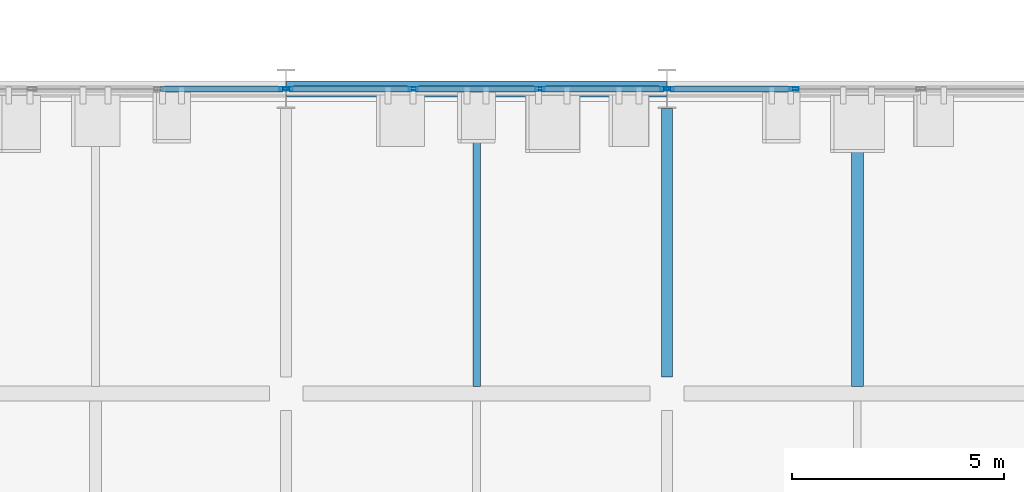
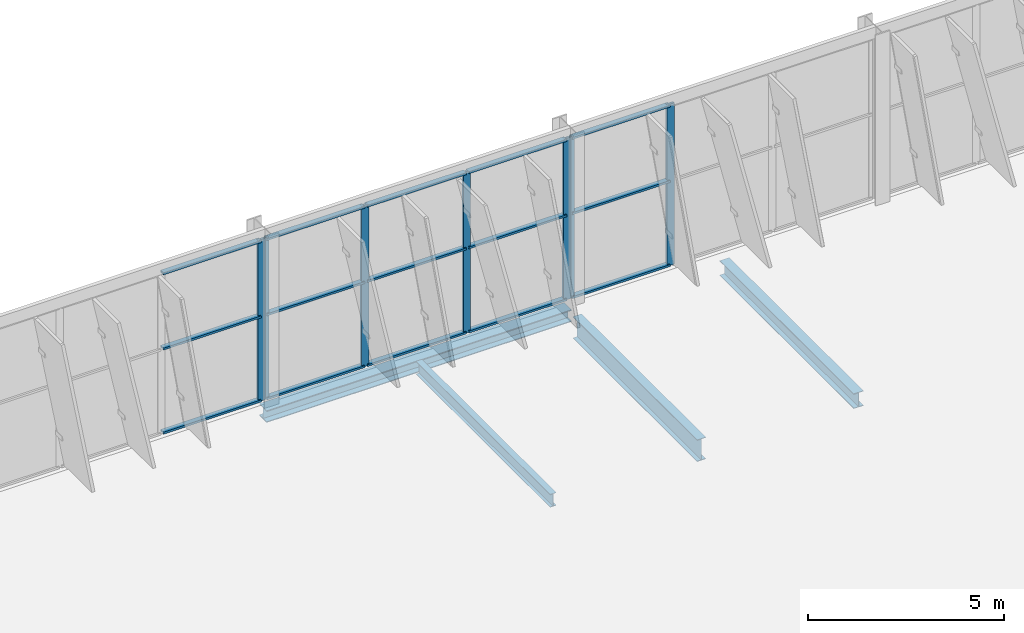
# One storey, part 27 of 189: 22 members, 4 beams, 3 elements without a shape of their own.
"""IFC4 building model written with IfcOpenShell, lengths in metres."""

from ifc_helpers import new_model, si_unit, direction, frame, origin, origin_2d, place, context, subcontext, project, spatial, hollow_rectangle, i_section, extrude, material, layer, layer_set, material_profile, profile_set, type_object, element, aggregate, save


model = new_model("IFC4")

# Units and contexts
model_context = context("Model", 3, precision=1e-05, world=origin(), true_north=direction((0.0, 1.0)))
body_context = subcontext(model_context, "Body", "Model", "MODEL_VIEW")
ifc_project = project(units=[si_unit("LENGTHUNIT", "METRE"), si_unit("AREAUNIT", "SQUARE_METRE"), si_unit("VOLUMEUNIT", "CUBIC_METRE"), si_unit("PLANEANGLEUNIT", "RADIAN"), si_unit("MASSUNIT", "GRAM", prefix="KILO")], contexts=[model_context])

# Site, building, storey
site_placement = place(None, origin())
site = spatial("IfcSite", under=ifc_project, at=site_placement, CompositionType="ELEMENT")
building_placement = place(site_placement, origin())
building = spatial("IfcBuilding", under=site, at=building_placement, Name="Celestram Park Convention Centre", CompositionType="ELEMENT")
storey_placement = place(building_placement, frame((0.0, 0.0, 5.39990234375)))
storey = spatial("IfcBuildingStorey", under=building, at=storey_placement, Name="L01", CompositionType="ELEMENT", Elevation=5.39990234375)

# Curtain wall, members
ifc_material_1 = material(Name="Anodised Aluminium Alloy 6063-T6", Category="aluminium")
ifc_layer = layer(ifc_material_1, 0.179931640625)
ifc_layer_set = layer_set([ifc_layer], Name="Anodised Aluminium Alloy 6063-T6")
curtain_wall_type = type_object("IfcCurtainWallType", Name="ARC-CW-898X503", PredefinedType="NOTDEFINED", material=ifc_layer_set)
curtain_wall_1_placement = place(storey_placement, origin())
curtain_wall_1 = element("IfcCurtainWall", 1, at=curtain_wall_1_placement, inside=storey, type_object=curtain_wall_type, Name="Unitised curtain wall CU-L01-130", PredefinedType="NOTDEFINED")
ifc_material_profile_1 = material_profile(ifc_material_1, hollow_rectangle(XDim=0.074951171875, YDim=0.219970703125, WallThickness=0.00390625, at=origin_2d()), Name="ALU75X220X4")
ifc_profile_set_1 = profile_set([ifc_material_profile_1], Name="Anodised Aluminium Alloy 6063-T6")
member_type_1 = type_object("IfcMemberType", Name="ARC-CWM-180", PredefinedType="MULLION", material=ifc_profile_set_1)
member_1_placement = place(storey_placement, frame((93.00341796875, 21.60009765625, 0.0), z_axis=(0.0, 0.0, 1.0), x_axis=(0.0, -1.0, 0.0)))
member_1 = element("IfcMember", 2, at=member_1_placement, type_object=member_type_1, Name="CW-89X50 mullion 3", PredefinedType="MULLION", context=body_context, shape_type="SweptSolid", body=[
    extrude(hollow_rectangle(XDim=0.074951171875, YDim=0.219970703125, WallThickness=0.00390625, at=origin_2d()), origin(), (0.0, 0.0, 1.0), 5.027099609375),
])
member_2_placement = place(storey_placement, frame((90.047607421875, 21.60009765625, 0.0), z_axis=(0.0, 0.0, 1.0), x_axis=(0.0, -1.0, 0.0)))
member_2 = element("IfcMember", 3, at=member_2_placement, type_object=member_type_1, Name="CW-89X50 mullion 4", PredefinedType="MULLION", context=body_context, shape_type="SweptSolid", body=[
    extrude(hollow_rectangle(XDim=0.074951171875, YDim=0.219970703125, WallThickness=0.00390625, at=origin_2d()), origin(), (0.0, 0.0, 1.0), 5.027099609375),
])

curtain_wall_2_placement = place(storey_placement, origin())
curtain_wall_2 = element("IfcCurtainWall", 4, at=curtain_wall_2_placement, inside=storey, type_object=curtain_wall_type, Name="Unitised curtain wall CU-L01-131", PredefinedType="NOTDEFINED")
member_3_placement = place(storey_placement, frame((89.952392578125, 21.60009765625, 0.0), z_axis=(0.0, 0.0, 1.0), x_axis=(0.0, -1.0, 0.0)))
member_3 = element("IfcMember", 5, at=member_3_placement, type_object=member_type_1, Name="CW-89X50 mullion 1", PredefinedType="MULLION", context=body_context, shape_type="SweptSolid", body=[
    extrude(hollow_rectangle(XDim=0.074951171875, YDim=0.219970703125, WallThickness=0.00390625, at=origin_2d()), origin(), (0.0, 0.0, 1.0), 5.027099609375),
])
member_4_placement = place(storey_placement, frame((86.99658203125, 21.60009765625, 0.0), z_axis=(0.0, 0.0, 1.0), x_axis=(0.0, -1.0, 0.0)))
member_4 = element("IfcMember", 6, at=member_4_placement, type_object=member_type_1, Name="CW-89X50 mullion 2", PredefinedType="MULLION", context=body_context, shape_type="SweptSolid", body=[
    extrude(hollow_rectangle(XDim=0.074951171875, YDim=0.219970703125, WallThickness=0.00390625, at=origin_2d()), origin(), (0.0, 0.0, 1.0), 5.027099609375),
])
member_5_placement = place(storey_placement, frame((84.00341796875, 21.60009765625, 0.0), z_axis=(0.0, 0.0, 1.0), x_axis=(0.0, -1.0, 0.0)))
member_5 = element("IfcMember", 7, at=member_5_placement, type_object=member_type_1, Name="CW-89X50 mullion 3", PredefinedType="MULLION", context=body_context, shape_type="SweptSolid", body=[
    extrude(hollow_rectangle(XDim=0.074951171875, YDim=0.219970703125, WallThickness=0.00390625, at=origin_2d()), origin(), (0.0, 0.0, 1.0), 5.027099609375),
])
member_6_placement = place(storey_placement, frame((81.047607421875, 21.60009765625, 0.0), z_axis=(0.0, 0.0, 1.0), x_axis=(0.0, -1.0, 0.0)))
member_6 = element("IfcMember", 8, at=member_6_placement, type_object=member_type_1, Name="CW-89X50 mullion 4", PredefinedType="MULLION", context=body_context, shape_type="SweptSolid", body=[
    extrude(hollow_rectangle(XDim=0.074951171875, YDim=0.219970703125, WallThickness=0.00390625, at=origin_2d()), origin(), (0.0, 0.0, 1.0), 5.027099609375),
])

# Curtain wall, member
curtain_wall_3_placement = place(storey_placement, origin())
curtain_wall_3 = element("IfcCurtainWall", 9, at=curtain_wall_3_placement, inside=storey, type_object=curtain_wall_type, Name="Unitised curtain wall CU-L01-132", PredefinedType="NOTDEFINED")
member_7_placement = place(storey_placement, frame((80.952392578125, 21.60009765625, 0.0), z_axis=(0.0, 0.0, 1.0), x_axis=(0.0, -1.0, 0.0)))
member_7 = element("IfcMember", 10, at=member_7_placement, type_object=member_type_1, Name="CW-89X50 mullion 1", PredefinedType="MULLION", context=body_context, shape_type="SweptSolid", body=[
    extrude(hollow_rectangle(XDim=0.074951171875, YDim=0.219970703125, WallThickness=0.00390625, at=origin_2d()), origin(), (0.0, 0.0, 1.0), 5.027099609375),
])

# Member
ifc_material_profile_2 = material_profile(ifc_material_1, hollow_rectangle(XDim=0.14990234375, YDim=0.06494140625, WallThickness=0.0029296875, at=origin_2d()), Name="ALU150X65X3")
ifc_profile_set_2 = profile_set([ifc_material_profile_2], Name="Anodised Aluminium Alloy 6063-T6")
member_type_2 = type_object("IfcMemberType", Name="ARC-CWT-150", PredefinedType="USERDEFINED", material=ifc_profile_set_2)
member_8_placement = place(storey_placement, frame((92.9658203125, 21.60009765625, 0.03271484375), z_axis=(-1.0, 0.0, 0.0), x_axis=(0.0, -1.0, 0.0)))
member_8 = element("IfcMember", 11, at=member_8_placement, type_object=member_type_2, Name="CW-89X50 transom 3.1", ObjectType="TRANSOM", PredefinedType="USERDEFINED", context=body_context, shape_type="SweptSolid", body=[
    extrude(hollow_rectangle(XDim=0.14990234375, YDim=0.06494140625, WallThickness=0.0029296875, at=origin_2d()), origin(), (0.0, 0.0, 1.0), 2.880859375),
])

member_9_placement = place(storey_placement, frame((92.9658203125, 21.60009765625, 2.650146484375), z_axis=(-1.0, 0.0, 0.0), x_axis=(0.0, -1.0, 0.0)))
member_9 = element("IfcMember", 12, at=member_9_placement, type_object=member_type_2, Name="CW-89X50 transom 3.2", ObjectType="TRANSOM", PredefinedType="USERDEFINED", context=body_context, shape_type="SweptSolid", body=[
    extrude(hollow_rectangle(XDim=0.14990234375, YDim=0.06494140625, WallThickness=0.0029296875, at=origin_2d()), origin(), (0.0, 0.0, 1.0), 2.880859375),
])

member_10_placement = place(storey_placement, frame((92.9658203125, 21.60009765625, 4.99462890625), z_axis=(-1.0, 0.0, 0.0), x_axis=(0.0, -1.0, 0.0)))
member_10 = element("IfcMember", 13, at=member_10_placement, type_object=member_type_2, Name="CW-89X50 transom 3.3", ObjectType="TRANSOM", PredefinedType="USERDEFINED", context=body_context, shape_type="SweptSolid", body=[
    extrude(hollow_rectangle(XDim=0.14990234375, YDim=0.06494140625, WallThickness=0.0029296875, at=origin_2d()), origin(), (0.0, 0.0, 1.0), 2.880859375),
])

aggregate(curtain_wall_1, [member_1, member_2, member_8, member_9, member_10])

member_11_placement = place(storey_placement, frame((89.9150390625, 21.60009765625, 0.03271484375), z_axis=(-1.0, 0.0, 0.0), x_axis=(0.0, -1.0, 0.0)))
member_11 = element("IfcMember", 14, at=member_11_placement, type_object=member_type_2, Name="CW-89X50 transom 1.1", ObjectType="TRANSOM", PredefinedType="USERDEFINED", context=body_context, shape_type="SweptSolid", body=[
    extrude(hollow_rectangle(XDim=0.14990234375, YDim=0.06494140625, WallThickness=0.0029296875, at=origin_2d()), origin(), (0.0, 0.0, 1.0), 2.880859375),
])

member_12_placement = place(storey_placement, frame((89.9150390625, 21.60009765625, 2.650146484375), z_axis=(-1.0, 0.0, 0.0), x_axis=(0.0, -1.0, 0.0)))
member_12 = element("IfcMember", 15, at=member_12_placement, type_object=member_type_2, Name="CW-89X50 transom 1.2", ObjectType="TRANSOM", PredefinedType="USERDEFINED", context=body_context, shape_type="SweptSolid", body=[
    extrude(hollow_rectangle(XDim=0.14990234375, YDim=0.06494140625, WallThickness=0.0029296875, at=origin_2d()), origin(), (0.0, 0.0, 1.0), 2.880859375),
])

member_13_placement = place(storey_placement, frame((89.9150390625, 21.60009765625, 4.99462890625), z_axis=(-1.0, 0.0, 0.0), x_axis=(0.0, -1.0, 0.0)))
member_13 = element("IfcMember", 16, at=member_13_placement, type_object=member_type_2, Name="CW-89X50 transom 1.3", ObjectType="TRANSOM", PredefinedType="USERDEFINED", context=body_context, shape_type="SweptSolid", body=[
    extrude(hollow_rectangle(XDim=0.14990234375, YDim=0.06494140625, WallThickness=0.0029296875, at=origin_2d()), origin(), (0.0, 0.0, 1.0), 2.880859375),
])

member_14_placement = place(storey_placement, frame((86.959228515625, 21.60009765625, 0.03271484375), z_axis=(-1.0, 0.0, 0.0), x_axis=(0.0, -1.0, 0.0)))
member_14 = element("IfcMember", 17, at=member_14_placement, type_object=member_type_2, Name="CW-89X50 transom 2.1", ObjectType="TRANSOM", PredefinedType="USERDEFINED", context=body_context, shape_type="SweptSolid", body=[
    extrude(hollow_rectangle(XDim=0.14990234375, YDim=0.06494140625, WallThickness=0.0029296875, at=origin_2d()), origin(), (0.0, 0.0, 1.0), 2.91845703125),
])

member_15_placement = place(storey_placement, frame((86.959228515625, 21.60009765625, 2.650146484375), z_axis=(-1.0, 0.0, 0.0), x_axis=(0.0, -1.0, 0.0)))
member_15 = element("IfcMember", 18, at=member_15_placement, type_object=member_type_2, Name="CW-89X50 transom 2.2", ObjectType="TRANSOM", PredefinedType="USERDEFINED", context=body_context, shape_type="SweptSolid", body=[
    extrude(hollow_rectangle(XDim=0.14990234375, YDim=0.06494140625, WallThickness=0.0029296875, at=origin_2d()), origin(), (0.0, 0.0, 1.0), 2.91845703125),
])

member_16_placement = place(storey_placement, frame((86.959228515625, 21.60009765625, 4.99462890625), z_axis=(-1.0, 0.0, 0.0), x_axis=(0.0, -1.0, 0.0)))
member_16 = element("IfcMember", 19, at=member_16_placement, type_object=member_type_2, Name="CW-89X50 transom 2.3", ObjectType="TRANSOM", PredefinedType="USERDEFINED", context=body_context, shape_type="SweptSolid", body=[
    extrude(hollow_rectangle(XDim=0.14990234375, YDim=0.06494140625, WallThickness=0.0029296875, at=origin_2d()), origin(), (0.0, 0.0, 1.0), 2.91845703125),
])

member_17_placement = place(storey_placement, frame((83.9658203125, 21.60009765625, 0.03271484375), z_axis=(-1.0, 0.0, 0.0), x_axis=(0.0, -1.0, 0.0)))
member_17 = element("IfcMember", 20, at=member_17_placement, type_object=member_type_2, Name="CW-89X50 transom 3.1", ObjectType="TRANSOM", PredefinedType="USERDEFINED", context=body_context, shape_type="SweptSolid", body=[
    extrude(hollow_rectangle(XDim=0.14990234375, YDim=0.06494140625, WallThickness=0.0029296875, at=origin_2d()), origin(), (0.0, 0.0, 1.0), 2.880859375),
])

member_18_placement = place(storey_placement, frame((83.9658203125, 21.60009765625, 2.650146484375), z_axis=(-1.0, 0.0, 0.0), x_axis=(0.0, -1.0, 0.0)))
member_18 = element("IfcMember", 21, at=member_18_placement, type_object=member_type_2, Name="CW-89X50 transom 3.2", ObjectType="TRANSOM", PredefinedType="USERDEFINED", context=body_context, shape_type="SweptSolid", body=[
    extrude(hollow_rectangle(XDim=0.14990234375, YDim=0.06494140625, WallThickness=0.0029296875, at=origin_2d()), origin(), (0.0, 0.0, 1.0), 2.880859375),
])

member_19_placement = place(storey_placement, frame((83.9658203125, 21.60009765625, 4.99462890625), z_axis=(-1.0, 0.0, 0.0), x_axis=(0.0, -1.0, 0.0)))
member_19 = element("IfcMember", 22, at=member_19_placement, type_object=member_type_2, Name="CW-89X50 transom 3.3", ObjectType="TRANSOM", PredefinedType="USERDEFINED", context=body_context, shape_type="SweptSolid", body=[
    extrude(hollow_rectangle(XDim=0.14990234375, YDim=0.06494140625, WallThickness=0.0029296875, at=origin_2d()), origin(), (0.0, 0.0, 1.0), 2.880859375),
])

aggregate(curtain_wall_2, [member_3, member_4, member_5, member_6, member_11, member_12, member_13, member_14, member_15, member_16, member_17, member_18, member_19])

member_20_placement = place(storey_placement, frame((80.9150390625, 21.60009765625, 0.03271484375), z_axis=(-1.0, 0.0, 0.0), x_axis=(0.0, -1.0, 0.0)))
member_20 = element("IfcMember", 23, at=member_20_placement, type_object=member_type_2, Name="CW-89X50 transom 1.1", ObjectType="TRANSOM", PredefinedType="USERDEFINED", context=body_context, shape_type="SweptSolid", body=[
    extrude(hollow_rectangle(XDim=0.14990234375, YDim=0.06494140625, WallThickness=0.0029296875, at=origin_2d()), origin(), (0.0, 0.0, 1.0), 2.880859375),
])

member_21_placement = place(storey_placement, frame((80.9150390625, 21.60009765625, 2.650146484375), z_axis=(-1.0, 0.0, 0.0), x_axis=(0.0, -1.0, 0.0)))
member_21 = element("IfcMember", 24, at=member_21_placement, type_object=member_type_2, Name="CW-89X50 transom 1.2", ObjectType="TRANSOM", PredefinedType="USERDEFINED", context=body_context, shape_type="SweptSolid", body=[
    extrude(hollow_rectangle(XDim=0.14990234375, YDim=0.06494140625, WallThickness=0.0029296875, at=origin_2d()), origin(), (0.0, 0.0, 1.0), 2.880859375),
])

member_22_placement = place(storey_placement, frame((80.9150390625, 21.60009765625, 4.99462890625), z_axis=(-1.0, 0.0, 0.0), x_axis=(0.0, -1.0, 0.0)))
member_22 = element("IfcMember", 25, at=member_22_placement, type_object=member_type_2, Name="CW-89X50 transom 1.3", ObjectType="TRANSOM", PredefinedType="USERDEFINED", context=body_context, shape_type="SweptSolid", body=[
    extrude(hollow_rectangle(XDim=0.14990234375, YDim=0.06494140625, WallThickness=0.0029296875, at=origin_2d()), origin(), (0.0, 0.0, 1.0), 2.880859375),
])

aggregate(curtain_wall_3, [member_7, member_20, member_21, member_22])

# Beams
ifc_material_2 = material(Name="Steel ASTM A992 Grade 50", Category="steel")
ifc_material_profile_3 = material_profile(ifc_material_2, i_section(OverallWidth=0.25390625, OverallDepth=0.68310546875, WebThickness=0.012451171875, FlangeThickness=0.01904296875, at=origin_2d()), Name="W27X94")
ifc_profile_set_3 = profile_set([ifc_material_profile_3], Name="Steel ASTM A992 Grade 50")
beam_type_1 = type_object("IfcBeamType", Name="STR-BM-W27X94", PredefinedType="BEAM", material=ifc_profile_set_3)
beam_1_placement = place(storey_placement, frame((90.0, 14.798095703125, -0.581298828125), z_axis=(0.0, 1.0, 0.0), x_axis=(-1.0, 0.0, 0.0)))
element("IfcBeam", 26, at=beam_1_placement, inside=storey, type_object=beam_type_1, Name="Primary Y-girder BG-L01-0168", PredefinedType="BEAM", context=body_context, shape_type="SweptSolid", body=[
    extrude(i_section(OverallWidth=0.25390625, OverallDepth=0.68310546875, WebThickness=0.012451171875, FlangeThickness=0.01904296875, at=origin_2d()), origin(), (0.0, 0.0, 1.0), 6.337890625),
])
ifc_material_profile_4 = material_profile(ifc_material_2, i_section(OverallWidth=0.177978515625, OverallDepth=0.406005859375, WebThickness=0.0078125, FlangeThickness=0.0126953125, at=origin_2d()), Name="W16X40")
ifc_profile_set_4 = profile_set([ifc_material_profile_4], Name="Steel ASTM A992 Grade 50")
beam_type_2 = type_object("IfcBeamType", Name="STR-JST-W16X40", PredefinedType="JOIST", material=ifc_profile_set_4)
beam_2_placement = place(storey_placement, frame((85.5, 14.573974609375, -0.44287109375), z_axis=(0.0, 1.0, 0.0), x_axis=(-1.0, 0.0, 0.0)))
element("IfcBeam", 27, at=beam_2_placement, inside=storey, type_object=beam_type_2, Name="Secondary composite joist BG-L01-0599", PredefinedType="JOIST", context=body_context, shape_type="SweptSolid", body=[
    extrude(i_section(OverallWidth=0.177978515625, OverallDepth=0.406005859375, WebThickness=0.0078125, FlangeThickness=0.0126953125, at=origin_2d()), origin(), (0.0, 0.0, 1.0), 6.843994140625),
])
ifc_material_profile_5 = material_profile(ifc_material_2, i_section(OverallWidth=0.281982421875, OverallDepth=0.467041015625, WebThickness=0.01220703125, FlangeThickness=0.01953125, at=origin_2d()), Name="W18X86")
ifc_profile_set_5 = profile_set([ifc_material_profile_5], Name="Steel ASTM A992 Grade 50")
beam_type_3 = type_object("IfcBeamType", Name="STR-JST-W18X86", PredefinedType="JOIST", material=ifc_profile_set_5)
beam_3_placement = place(storey_placement, frame((94.5, 14.573974609375, -0.473388671875), z_axis=(0.0, 1.0, 0.0), x_axis=(-1.0, 0.0, 0.0)))
element("IfcBeam", 28, at=beam_3_placement, inside=storey, type_object=beam_type_3, Name="Secondary composite joist BG-L01-0607", PredefinedType="JOIST", context=body_context, shape_type="SweptSolid", body=[
    extrude(i_section(OverallWidth=0.281982421875, OverallDepth=0.467041015625, WebThickness=0.01220703125, FlangeThickness=0.01953125, at=origin_2d()), origin(), (0.0, 0.0, 1.0), 6.843994140625),
])
ifc_material_profile_6 = material_profile(ifc_material_2, i_section(OverallWidth=0.373046875, OverallDepth=0.373046875, WebThickness=0.016357421875, FlangeThickness=0.026123046875, at=origin_2d()), Name="W14X132")
ifc_profile_set_6 = profile_set([ifc_material_profile_6], Name="Steel ASTM A992 Grade 50")
beam_type_4 = type_object("IfcBeamType", Name="STR-SPN-W14X132", PredefinedType="SPANDREL", material=ifc_profile_set_6)
beam_4_placement = place(storey_placement, frame((81.010009765625, 21.60009765625, -0.426513671875), z_axis=(1.0, 0.0, 0.0), x_axis=(0.0, 1.0, 0.0)))
element("IfcBeam", 29, at=beam_4_placement, inside=storey, type_object=beam_type_4, Name="Primary X-girder BG-L01-0147", PredefinedType="SPANDREL", context=body_context, shape_type="SweptSolid", body=[
    extrude(i_section(OverallWidth=0.373046875, OverallDepth=0.373046875, WebThickness=0.016357421875, FlangeThickness=0.026123046875, at=origin_2d()), origin(), (0.0, 0.0, 1.0), 8.97998046875),
])

save(model, "model.ifc")
